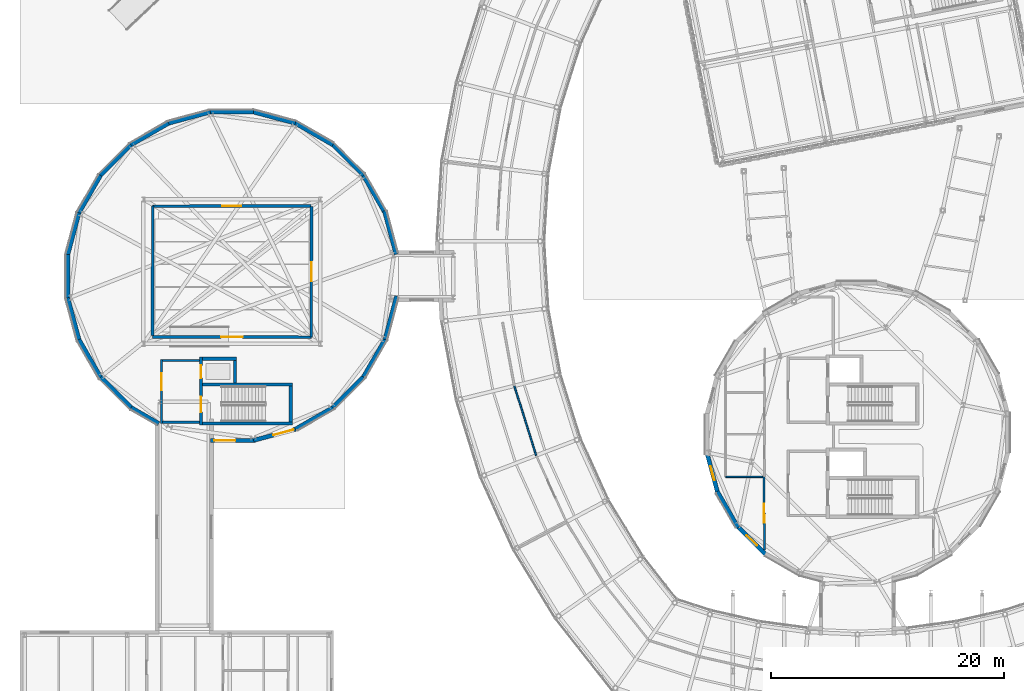
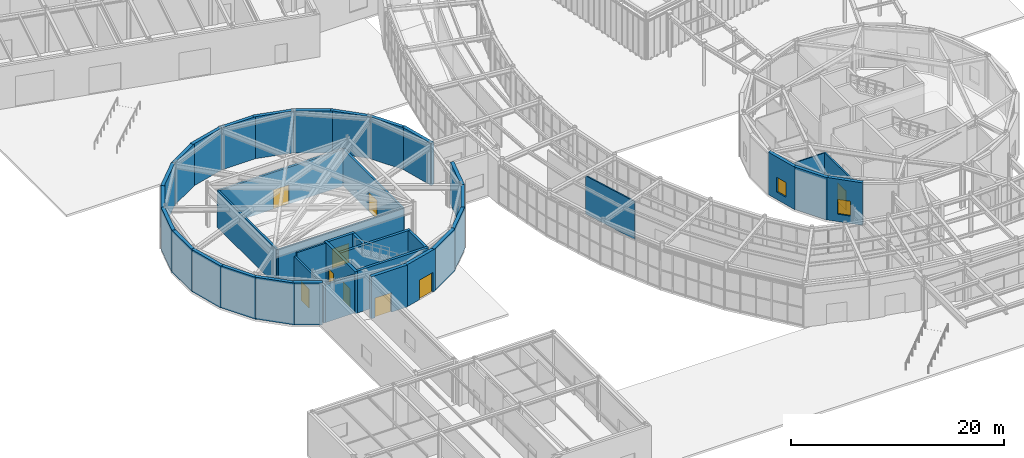
# One storey, part 70 of 97: 41 walls, 9 doors, 2 windows, 11 openings.
"""IFC4 building model written with IfcOpenShell, lengths in metres."""

from ifc_helpers import new_model, si_unit, direction, frame, frame_2d, origin, place, context, subcontext, project, spatial, rectangle, extrude, material, layer, layer_set, type_object, element, fill, save


model = new_model("IFC4")

# Units and contexts
model_context = context("Model", 3, precision=1e-05, world=origin(), true_north=direction((0.0, 1.0)))
body_context = subcontext(model_context, "Body", "Model", "MODEL_VIEW")
ifc_project = project(units=[si_unit("LENGTHUNIT", "METRE"), si_unit("AREAUNIT", "SQUARE_METRE"), si_unit("VOLUMEUNIT", "CUBIC_METRE"), si_unit("PLANEANGLEUNIT", "RADIAN"), si_unit("MASSUNIT", "GRAM", prefix="KILO")], contexts=[model_context])

# Site, building, storey
site_placement = place(None, origin())
site = spatial("IfcSite", under=ifc_project, at=site_placement, CompositionType="ELEMENT")
building_placement = place(site_placement, origin())
building = spatial("IfcBuilding", under=site, at=building_placement, Name="Varnklinge Art Gallery", CompositionType="ELEMENT")
storey_placement = place(building_placement, origin())
storey = spatial("IfcBuildingStorey", under=building, at=storey_placement, Name="L00", CompositionType="ELEMENT", Elevation=0.0)

# Walls
ifc_material_1 = material(Name="Concrete C40/50", Category="concrete")
ifc_layer_1 = layer(ifc_material_1, 0.360107421875)
ifc_layer_set_1 = layer_set([ifc_layer_1], Name="Concrete C40/50")
wall_type_1 = type_object("IfcWallType", Name="EW-36", PredefinedType="SOLIDWALL", material=ifc_layer_set_1)
wall_1_placement = place(storey_placement, frame((35.93701171875, 50.2939453125, 0.0), z_axis=(0.0, 0.0, 1.0), x_axis=(-0.258798150836, -0.965931424649, 0.0)))
element("IfcWall", 1, at=wall_1_placement, inside=storey, type_object=wall_type_1, Name="L00 Exterior Wall EW-V3-L00-01", PredefinedType="SOLIDWALL", context=body_context, shape_type="SweptSolid", body=[
    extrude(rectangle(XDim=3.866943359375, YDim=0.360107421875, at=frame_2d((1.93359375, 0.0))), origin(), (0.0, 0.0, 1.0), 4.820068359375),
])
wall_2_placement = place(storey_placement, frame((35.026123046875, 46.71484375, 0.0), z_axis=(0.0, 0.0, 1.0), x_axis=(-0.499957759415, -0.866049790024, 0.0)))
element("IfcWall", 2, at=wall_2_placement, inside=storey, type_object=wall_type_1, Name="L00 Exterior Wall EW-V3-L00-02", PredefinedType="SOLIDWALL", context=body_context, shape_type="SweptSolid", body=[
    extrude(rectangle(XDim=3.891845703125, YDim=0.360107421875, at=frame_2d((1.94580078125, 0.0))), origin(), (0.0, 0.0, 1.0), 4.820068359375),
])
wall_3_placement = place(storey_placement, frame((33.20751953125, 43.4716796875, 0.0), z_axis=(0.0, 0.0, 1.0), x_axis=(-0.707075413469, -0.707138147513, 0.0)))
element("IfcWall", 3, at=wall_3_placement, inside=storey, type_object=wall_type_1, Name="L00 Exterior Wall EW-V3-L00-03", PredefinedType="SOLIDWALL", context=body_context, shape_type="SweptSolid", body=[
    extrude(rectangle(XDim=3.8916015625, YDim=0.360107421875, at=frame_2d((1.94580078125, 0.0))), origin(), (0.0, 0.0, 1.0), 4.820068359375),
])
wall_4_placement = place(storey_placement, frame((30.611572265625, 40.809814453125, 0.0), z_axis=(0.0, 0.0, 1.0), x_axis=(-0.866006944682, -0.50003197074, 0.0)))
element("IfcWall", 4, at=wall_4_placement, inside=storey, type_object=wall_type_1, Name="L00 Exterior Wall EW-V3-L00-04", PredefinedType="SOLIDWALL", context=body_context, shape_type="SweptSolid", body=[
    extrude(rectangle(XDim=3.891845703125, YDim=0.360107421875, at=frame_2d((1.94580078125, 0.0))), origin(), (0.0, 0.0, 1.0), 4.820068359375),
])

# Wall, opening, door
wall_5_placement = place(storey_placement, frame((27.4150390625, 38.910400390625, 0.0), z_axis=(0.0, 0.0, 1.0), x_axis=(-0.965935451034, -0.258783122395, 0.0)))
wall_5 = element("IfcWall", 5, at=wall_5_placement, inside=storey, type_object=wall_type_1, Name="L00 Exterior Wall EW-V3-L00-05", PredefinedType="SOLIDWALL", context=body_context, shape_type="SweptSolid", body=[
    extrude(rectangle(XDim=3.8916015625, YDim=0.360107421875, at=frame_2d((1.94580078125, 0.0))), origin(), (0.0, 0.0, 1.0), 4.820068359375),
])
opening_1_placement = place(wall_5_placement, frame((0.345947265625, 0.0, 0.0)))
opening_1 = element("IfcOpeningElement", 6, at=opening_1_placement, cuts=wall_5, Name="Opening D-L00-E14", PredefinedType="OPENING", context=body_context, shape_type="SweptSolid", body=[
    extrude(rectangle(XDim=1.800048828125, YDim=2.25, at=frame_2d((0.89990234375, 1.125))), frame((0.0, 0.190185546875, 0.0), z_axis=(0.0, -1.0, 0.0), x_axis=(1.0, 0.0, 0.0)), (0.0, 0.0, 1.0), 0.380126953125),
])
ifc_material_2 = material(Name="Anodised Aluminium", Category="aluminium")
door_type_1 = type_object("IfcDoorType", Name="ED-02", OperationType="DOUBLE_DOOR_SINGLE_SWING", PredefinedType="DOOR", material=ifc_material_2)
door_1_placement = place(opening_1_placement, origin())
door_1 = element("IfcDoor", 7, at=door_1_placement, inside=storey, type_object=door_type_1, Name="L00 Auditorium Core C6 Final Exit Door D-L00-E14", OperationType="DOUBLE_DOOR_SINGLE_SWING", OverallHeight=2.25, OverallWidth=1.800048828125, PredefinedType="DOOR", context=body_context, shape_type="SweptSolid", body=[
    extrude(rectangle(XDim=1.800048828125, YDim=2.25, at=frame_2d((0.89990234375, 1.125))), frame((0.0, 0.02490234375, 0.0), z_axis=(0.0, -1.0, 0.0), x_axis=(1.0, 0.0, 0.0)), (0.0, 0.0, 1.0), 0.050048828125),
])
fill(opening_1, door_1)

wall_6_placement = place(storey_placement, frame((23.8359375, 37.9033203125, 0.0), z_axis=(0.0, 0.0, 1.0), x_axis=(-1.0, 0.0, 0.0)))
wall_6 = element("IfcWall", 8, at=wall_6_placement, inside=storey, type_object=wall_type_1, Name="L00 Exterior Wall EW-V3-L00-06", PredefinedType="SOLIDWALL", context=body_context, shape_type="SweptSolid", body=[
    extrude(rectangle(XDim=3.891845703125, YDim=0.360107421875, at=frame_2d((1.94580078125, 0.0))), origin(), (0.0, 0.0, 1.0), 4.820068359375),
])
opening_2_placement = place(wall_6_placement, frame((1.745849609375, 0.0, 0.0)))
opening_2 = element("IfcOpeningElement", 9, at=opening_2_placement, cuts=wall_6, Name="Opening D-L00-E15", PredefinedType="OPENING", context=body_context, shape_type="SweptSolid", body=[
    extrude(rectangle(XDim=1.800048828125, YDim=2.25, at=frame_2d((0.89990234375, 1.125))), frame((0.0, 0.190185546875, 0.0), z_axis=(0.0, -1.0, 0.0), x_axis=(1.0, 0.0, 0.0)), (0.0, 0.0, 1.0), 0.380126953125),
])
door_2_placement = place(opening_2_placement, origin())
door_2 = element("IfcDoor", 10, at=door_2_placement, inside=storey, type_object=door_type_1, Name="L00 Auditorium Core C6 Final Exit Door D-L00-E15", OperationType="DOUBLE_DOOR_SINGLE_SWING", OverallHeight=2.25, OverallWidth=1.800048828125, PredefinedType="DOOR", context=body_context, shape_type="SweptSolid", body=[
    extrude(rectangle(XDim=1.800048828125, YDim=2.25, at=frame_2d((0.89990234375, 1.125))), frame((0.0, 0.02490234375, 0.0), z_axis=(0.0, -1.0, 0.0), x_axis=(1.0, 0.0, 0.0)), (0.0, 0.0, 1.0), 0.050048828125),
])
fill(opening_2, door_2)

# Walls
wall_7_placement = place(storey_placement, frame((15.52001953125, 39.34814453125, 0.0), z_axis=(0.0, 0.0, 1.0), x_axis=(-0.866032936488, 0.499986952748, 0.0)))
element("IfcWall", 11, at=wall_7_placement, inside=storey, type_object=wall_type_1, Name="L00 Exterior Wall EW-V3-L00-07", PredefinedType="SOLIDWALL", context=body_context, shape_type="SweptSolid", body=[
    extrude(rectangle(XDim=2.7431640625, YDim=0.360107421875, at=frame_2d((1.37158203125, 0.0))), origin(), (0.0, 0.0, 1.0), 4.820068359375),
])
for number, where, z_axis, x_axis, name in (
    (12, (13.271484375, 40.59228515625, 0.0), (0.0, 0.0, 1.0), (-0.707075413469, 0.707138147513, 0.0), "L00 Exterior Wall EW-V3-L00-08"),
    (13, (10.609619140625, 43.1884765625, 0.0), (0.0, 0.0, 1.0), (-0.499984921984, 0.866034108906, 0.0), "L00 Exterior Wall EW-V3-L00-09"),
    (14, (8.71044921875, 46.385009765625, 0.0), (0.0, 0.0, 1.0), (-0.25884165497, 0.96591976771, 0.0), "L00 Exterior Wall EW-V3-L00-10"),
):
    element("IfcWall", number, at=place(storey_placement, frame(where, z_axis=z_axis, x_axis=x_axis)), inside=storey, type_object=wall_type_1, Name=name, PredefinedType="SOLIDWALL", context=body_context, shape_type="SweptSolid", body=[
        extrude(rectangle(XDim=3.8916015625, YDim=0.360107421875, at=frame_2d((1.94580078125, 0.0))), origin(), (0.0, 0.0, 1.0), 4.820068359375),
    ])
for number, where, z_axis, x_axis, name in (
    (15, (7.703125, 49.964111328125, 0.0), (0.0, 0.0, 1.0), (0.0, 1.0, 0.0), "L00 Exterior Wall EW-V3-L00-11"),
    (16, (7.656494140625, 53.681884765625, 0.0), (0.0, 0.0, 1.0), (0.258825971043, 0.965923970462, 0.0), "L00 Exterior Wall EW-V3-L00-12"),
):
    element("IfcWall", number, at=place(storey_placement, frame(where, z_axis=z_axis, x_axis=x_axis)), inside=storey, type_object=wall_type_1, Name=name, PredefinedType="SOLIDWALL", context=body_context, shape_type="SweptSolid", body=[
        extrude(rectangle(XDim=3.891845703125, YDim=0.360107421875, at=frame_2d((1.94580078125, 0.0))), origin(), (0.0, 0.0, 1.0), 4.820068359375),
    ])
wall_8_placement = place(storey_placement, frame((8.57373046875, 57.28515625, 0.0), z_axis=(0.0, 0.0, 1.0), x_axis=(0.50000480732, 0.866022628259, 0.0)))
element("IfcWall", 17, at=wall_8_placement, inside=storey, type_object=wall_type_1, Name="L00 Exterior Wall EW-V3-L00-13", PredefinedType="SOLIDWALL", context=body_context, shape_type="SweptSolid", body=[
    extrude(rectangle(XDim=3.89208984375, YDim=0.360107421875, at=frame_2d((1.946044921875, 0.0))), origin(), (0.0, 0.0, 1.0), 4.820068359375),
])
wall_9_placement = place(storey_placement, frame((10.392333984375, 60.5283203125, 0.0), z_axis=(0.0, 0.0, 1.0), x_axis=(0.707106781187, 0.707106781187, 0.0)))
element("IfcWall", 18, at=wall_9_placement, inside=storey, type_object=wall_type_1, Name="L00 Exterior Wall EW-V3-L00-14", PredefinedType="SOLIDWALL", context=body_context, shape_type="SweptSolid", body=[
    extrude(rectangle(XDim=3.891845703125, YDim=0.360107421875, at=frame_2d((1.94580078125, 0.0))), origin(), (0.0, 0.0, 1.0), 4.820068359375),
])
wall_10_placement = place(storey_placement, frame((12.98828125, 63.190185546875, 0.0), z_axis=(0.0, 0.0, 1.0), x_axis=(0.866022628259, 0.50000480732, 0.0)))
element("IfcWall", 19, at=wall_10_placement, inside=storey, type_object=wall_type_1, Name="L00 Exterior Wall EW-V3-L00-15", PredefinedType="SOLIDWALL", context=body_context, shape_type="SweptSolid", body=[
    extrude(rectangle(XDim=3.89208984375, YDim=0.360107421875, at=frame_2d((1.946044921875, 0.0))), origin(), (0.0, 0.0, 1.0), 4.820068359375),
])
wall_11_placement = place(storey_placement, frame((16.18505859375, 65.089599609375, 0.0), z_axis=(0.0, 0.0, 1.0), x_axis=(0.965935451034, 0.258783122395, 0.0)))
element("IfcWall", 20, at=wall_11_placement, inside=storey, type_object=wall_type_1, Name="L00 Exterior Wall EW-V3-L00-16", PredefinedType="SOLIDWALL", context=body_context, shape_type="SweptSolid", body=[
    extrude(rectangle(XDim=3.8916015625, YDim=0.360107421875, at=frame_2d((1.94580078125, 0.0))), origin(), (0.0, 0.0, 1.0), 4.820068359375),
])
for number, where, z_axis, x_axis, name in (
    (21, (19.76416015625, 66.0966796875, 0.0), (0.0, 0.0, 1.0), (1.0, 0.0, 0.0), "L00 Exterior Wall EW-V3-L00-17"),
    (22, (23.48193359375, 66.143310546875, 0.0), (0.0, 0.0, 1.0), (0.965939651954, -0.258767441506, 0.0), "L00 Exterior Wall EW-V3-L00-18"),
):
    element("IfcWall", number, at=place(storey_placement, frame(where, z_axis=z_axis, x_axis=x_axis)), inside=storey, type_object=wall_type_1, Name=name, PredefinedType="SOLIDWALL", context=body_context, shape_type="SweptSolid", body=[
        extrude(rectangle(XDim=3.891845703125, YDim=0.360107421875, at=frame_2d((1.94580078125, 0.0))), origin(), (0.0, 0.0, 1.0), 4.820068359375),
    ])
wall_12_placement = place(storey_placement, frame((27.085205078125, 65.226318359375, 0.0), z_axis=(0.0, 0.0, 1.0), x_axis=(0.866022628259, -0.50000480732, 0.0)))
element("IfcWall", 23, at=wall_12_placement, inside=storey, type_object=wall_type_1, Name="L00 Exterior Wall EW-V3-L00-19", PredefinedType="SOLIDWALL", context=body_context, shape_type="SweptSolid", body=[
    extrude(rectangle(XDim=3.89208984375, YDim=0.360107421875, at=frame_2d((1.946044921875, 0.0))), origin(), (0.0, 0.0, 1.0), 4.820068359375),
])
for number, where, z_axis, x_axis, name in (
    (24, (30.328369140625, 63.40771484375, 0.0), (0.0, 0.0, 1.0), (0.707106781187, -0.707106781187, 0.0), "L00 Exterior Wall EW-V3-L00-20"),
    (25, (32.990234375, 60.8115234375, 0.0), (0.0, 0.0, 1.0), (0.50003197074, -0.866006944682, 0.0), "L00 Exterior Wall EW-V3-L00-21"),
):
    element("IfcWall", number, at=place(storey_placement, frame(where, z_axis=z_axis, x_axis=x_axis)), inside=storey, type_object=wall_type_1, Name=name, PredefinedType="SOLIDWALL", context=body_context, shape_type="SweptSolid", body=[
        extrude(rectangle(XDim=3.891845703125, YDim=0.360107421875, at=frame_2d((1.94580078125, 0.0))), origin(), (0.0, 0.0, 1.0), 4.820068359375),
    ])
wall_13_placement = place(storey_placement, frame((34.8896484375, 57.614990234375, 0.0), z_axis=(0.0, 0.0, 1.0), x_axis=(0.258798150836, -0.965931424649, 0.0)))
element("IfcWall", 26, at=wall_13_placement, inside=storey, type_object=wall_type_1, Name="L00 Exterior Wall EW-V3-L00-22", PredefinedType="SOLIDWALL", context=body_context, shape_type="SweptSolid", body=[
    extrude(rectangle(XDim=3.866943359375, YDim=0.360107421875, at=frame_2d((1.93359375, 0.0))), origin(), (0.0, 0.0, 1.0), 4.820068359375),
])

# Wall, opening, window
wall_14_placement = place(storey_placement, frame((67.7021484375, 28.04443359375, 0.0), z_axis=(0.0, 0.0, 1.0), x_axis=(-0.707140892322, 0.707072668406, 0.0)))
wall_14 = element("IfcWall", 27, at=wall_14_placement, inside=storey, type_object=wall_type_1, Name="L00 Exterior Wall EW-V4D-L00-09", PredefinedType="SOLIDWALL", context=body_context, shape_type="SweptSolid", body=[
    extrude(rectangle(XDim=3.57861328125, YDim=0.360107421875, at=frame_2d((1.789306640625, 0.0))), origin(), (0.0, 0.0, 1.0), 4.8798828125),
])
opening_3_placement = place(wall_14_placement, frame((1.164306640625, 0.0, 0.85009765625)))
opening_3 = element("IfcOpeningElement", 28, at=opening_3_placement, cuts=wall_14, Name="Opening WN-09", PredefinedType="OPENING", context=body_context, shape_type="SweptSolid", body=[
    extrude(rectangle(XDim=1.25, YDim=1.699951171875, at=frame_2d((0.625, 0.85009765625))), frame((0.0, 0.190185546875, 0.0), z_axis=(0.0, -1.0, 0.0), x_axis=(1.0, 0.0, 0.0)), (0.0, 0.0, 1.0), 0.380126953125),
])
ifc_material_3 = material(Name="Insulated Low-E Triple Glazing", Category="glass")
window_type = type_object("IfcWindowType", Name="WN-09", PartitioningType="SINGLE_PANEL", PredefinedType="WINDOW", material=ifc_material_3)
window_1_placement = place(opening_3_placement, origin())
window_1 = element("IfcWindow", 29, at=window_1_placement, inside=storey, type_object=window_type, Name="L00 Window WIN-L00-068", OverallHeight=1.699951171875, OverallWidth=1.25, PartitioningType="SINGLE_PANEL", PredefinedType="WINDOW", context=body_context, shape_type="SweptSolid", body=[
    extrude(rectangle(XDim=1.25, YDim=1.699951171875, at=frame_2d((0.625, 0.85009765625))), frame((0.0, 0.030029296875, 0.0), z_axis=(0.0, -1.0, 0.0), x_axis=(1.0, 0.0, 0.0)), (0.0, 0.0, 1.0), 0.06005859375),
])
fill(opening_3, window_1)

# Wall
wall_15_placement = place(storey_placement, frame((65.26171875, 30.4189453125, 0.0), z_axis=(0.0, 0.0, 1.0), x_axis=(-0.500005919159, 0.866021986329, 0.0)))
element("IfcWall", 30, at=wall_15_placement, inside=storey, type_object=wall_type_1, Name="L00 Exterior Wall EW-V4D-L00-10", PredefinedType="SOLIDWALL", context=body_context, shape_type="SweptSolid", body=[
    extrude(rectangle(XDim=3.57861328125, YDim=0.360107421875, at=frame_2d((1.789306640625, 0.0))), origin(), (0.0, 0.0, 1.0), 4.8798828125),
])

# Wall, opening, window
wall_16_placement = place(storey_placement, frame((63.51904296875, 33.34423828125, 0.0), z_axis=(0.0, 0.0, 1.0), x_axis=(-0.258779281586, 0.965936480014, 0.0)))
wall_16 = element("IfcWall", 31, at=wall_16_placement, inside=storey, type_object=wall_type_1, Name="L00 Exterior Wall EW-V4D-L00-11", PredefinedType="SOLIDWALL", context=body_context, shape_type="SweptSolid", body=[
    extrude(rectangle(XDim=3.578369140625, YDim=0.360107421875, at=frame_2d((1.7890625, 0.0))), origin(), (0.0, 0.0, 1.0), 4.8798828125),
])
opening_4_placement = place(wall_16_placement, frame((1.164306640625, 0.0, 0.85009765625)))
opening_4 = element("IfcOpeningElement", 32, at=opening_4_placement, cuts=wall_16, Name="Opening WN-09", PredefinedType="OPENING", context=body_context, shape_type="SweptSolid", body=[
    extrude(rectangle(XDim=1.25, YDim=1.699951171875, at=frame_2d((0.625, 0.85009765625))), frame((0.0, 0.190185546875, 0.0), z_axis=(0.0, -1.0, 0.0), x_axis=(1.0, 0.0, 0.0)), (0.0, 0.0, 1.0), 0.380126953125),
])
window_2_placement = place(opening_4_placement, origin())
window_2 = element("IfcWindow", 33, at=window_2_placement, inside=storey, type_object=window_type, Name="L00 Window WIN-L00-069", OverallHeight=1.699951171875, OverallWidth=1.25, PartitioningType="SINGLE_PANEL", PredefinedType="WINDOW", context=body_context, shape_type="SweptSolid", body=[
    extrude(rectangle(XDim=1.25, YDim=1.699951171875, at=frame_2d((0.625, 0.85009765625))), frame((0.0, 0.030029296875, 0.0), z_axis=(0.0, -1.0, 0.0), x_axis=(1.0, 0.0, 0.0)), (0.0, 0.0, 1.0), 0.06005859375),
])
fill(opening_4, window_2)

# Walls
ifc_material_4 = material(Name="Gypsum Board Partition", Category="gypsum")
ifc_layer_2 = layer(ifc_material_4, 0.1201171875)
ifc_layer_set_2 = layer_set([ifc_layer_2], Name="Gypsum Board Partition")
wall_type_2 = type_object("IfcWallType", Name="IW-12", PredefinedType="PARTITIONING", material=ifc_layer_set_2)
wall_17_placement = place(storey_placement, frame((67.365234375, 34.77001953125, 0.0), z_axis=(0.0, 0.0, 1.0), x_axis=(-1.0, 0.0, 0.0)))
element("IfcWall", 34, at=wall_17_placement, inside=storey, type_object=wall_type_2, Name="L00 Partition Wall IW-L00-0145", PredefinedType="PARTITIONING", context=body_context, shape_type="SweptSolid", body=[
    extrude(rectangle(XDim=3.165283203125, YDim=0.1201171875, at=frame_2d((1.58251953125, 0.0))), origin(), (0.0, 0.0, 1.0), 4.27001953125),
])
ifc_material_5 = material(Name="Gypsum Board Partition", Category="gypsum")
ifc_layer_3 = layer(ifc_material_5, 0.139892578125)
ifc_layer_set_3 = layer_set([ifc_layer_3], Name="Gypsum Board Partition")
wall_type_3 = type_object("IfcWallType", Name="IW-14", PredefinedType="PARTITIONING", material=ifc_layer_set_3)
wall_18_placement = place(storey_placement, frame((47.9189453125, 36.61279296875, 0.0), z_axis=(0.0, 0.0, 1.0), x_axis=(-0.299731275576, 0.954023669749, 0.0)))
element("IfcWall", 35, at=wall_18_placement, inside=storey, type_object=wall_type_3, Name="L00 Partition Wall IW-L00-0080", PredefinedType="PARTITIONING", context=body_context, shape_type="SweptSolid", body=[
    extrude(rectangle(XDim=6.260498046875, YDim=0.139892578125, at=frame_2d((3.13037109375, 0.0))), origin(), (0.0, 0.0, 1.0), 4.3701171875),
])

# Wall, opening, door
ifc_material_6 = material(Name="Gypsum Board Partition", Category="gypsum")
ifc_layer_4 = layer(ifc_material_6, 0.179931640625)
ifc_layer_set_4 = layer_set([ifc_layer_4], Name="Gypsum Board Partition")
wall_type_4 = type_object("IfcWallType", Name="IW-18", PredefinedType="PARTITIONING", material=ifc_layer_set_4)
wall_19_placement = place(storey_placement, frame((67.52392578125, 28.48291015625, 0.0), z_axis=(0.0, 0.0, 1.0), x_axis=(-0.008540751285, 0.999963527119, 0.0)))
wall_19 = element("IfcWall", 36, at=wall_19_placement, inside=storey, type_object=wall_type_4, Name="L00 Partition Wall IW-L00-0104", PredefinedType="PARTITIONING", context=body_context, shape_type="SweptSolid", body=[
    extrude(rectangle(XDim=6.3173828125, YDim=0.179931640625, at=frame_2d((3.15869140625, 0.0))), origin(), (0.0, 0.0, 1.0), 4.27001953125),
])
opening_5_placement = place(wall_19_placement, frame((2.338623046875, 0.0, 0.0)))
opening_5 = element("IfcOpeningElement", 37, at=opening_5_placement, cuts=wall_19, Name="Opening D-L00-160", PredefinedType="OPENING", context=body_context, shape_type="SweptSolid", body=[
    extrude(rectangle(XDim=1.639892578125, YDim=2.199951171875, at=frame_2d((0.81982421875, 1.10009765625))), frame((0.0, 0.099853515625, 0.0), z_axis=(0.0, -1.0, 0.0), x_axis=(1.0, 0.0, 0.0)), (0.0, 0.0, 1.0), 0.199951171875),
])
ifc_material_7 = material(Name="Oak Timber Leaf", Category="wood")
door_type_2 = type_object("IfcDoorType", Name="ID-08", OperationType="DOUBLE_DOOR_SINGLE_SWING", PredefinedType="DOOR", material=ifc_material_7)
door_3_placement = place(opening_5_placement, origin())
door_3 = element("IfcDoor", 38, at=door_3_placement, inside=storey, type_object=door_type_2, Name="L00 L00 Drum Sculpture Rotunda Gallery 2 Door D-L00-160", OperationType="DOUBLE_DOOR_SINGLE_SWING", OverallHeight=2.199951171875, OverallWidth=1.639892578125, PredefinedType="DOOR", context=body_context, shape_type="SweptSolid", body=[
    extrude(rectangle(XDim=1.639892578125, YDim=2.199951171875, at=frame_2d((0.81982421875, 1.10009765625))), frame((0.0, 0.02490234375, 0.0), z_axis=(0.0, -1.0, 0.0), x_axis=(1.0, 0.0, 0.0)), (0.0, 0.0, 1.0), 0.050048828125),
])
fill(opening_5, door_3)

# Walls
ifc_material_8 = material(Name="Concrete C40/50", Category="concrete")
ifc_layer_5 = layer(ifc_material_8, 0.199951171875)
ifc_layer_set_5 = layer_set([ifc_layer_5], Name="Concrete C40/50")
wall_type_5 = type_object("IfcWallType", Name="IW-20", PredefinedType="PARTITIONING", material=ifc_layer_set_5)
wall_20_placement = place(storey_placement, frame((15.85009765625, 39.449951171875, 0.0), z_axis=(0.0, 0.0, 1.0), x_axis=(1.0, 0.0, 0.0)))
element("IfcWall", 39, at=wall_20_placement, inside=storey, type_object=wall_type_5, Name="L00 Core C6 Lobby South Wall", PredefinedType="PARTITIONING", context=body_context, shape_type="SweptSolid", body=[
    extrude(rectangle(XDim=3.14990234375, YDim=0.199951171875, at=frame_2d((1.574951171875, 0.0))), origin(), (0.0, 0.0, 1.0), 4.360107421875),
])
wall_21_placement = place(storey_placement, frame((19.0, 44.760009765625, 0.0), z_axis=(0.0, 0.0, 1.0), x_axis=(-1.0, 0.0, 0.0)))
element("IfcWall", 40, at=wall_21_placement, inside=storey, type_object=wall_type_5, Name="L00 Core C6 Lobby North Wall", PredefinedType="PARTITIONING", context=body_context, shape_type="SweptSolid", body=[
    extrude(rectangle(XDim=3.14990234375, YDim=0.199951171875, at=frame_2d((1.574951171875, 0.0))), origin(), (0.0, 0.0, 1.0), 4.820068359375),
])

# Wall, opening, door
wall_22_placement = place(storey_placement, frame((15.75, 39.35009765625, 0.0), z_axis=(0.0, 0.0, 1.0), x_axis=(0.0, 1.0, 0.0)))
wall_22 = element("IfcWall", 41, at=wall_22_placement, inside=storey, type_object=wall_type_5, Name="L00 Core C6 Lobby Corridor Wall", PredefinedType="PARTITIONING", context=body_context, shape_type="SweptSolid", body=[
    extrude(rectangle(XDim=5.510009765625, YDim=0.199951171875, at=frame_2d((2.7548828125, 0.0))), origin(), (0.0, 0.0, 1.0), 4.360107421875),
])
opening_6_placement = place(wall_22_placement, frame((2.841552734375, 0.0, 0.0)))
opening_6 = element("IfcOpeningElement", 42, at=opening_6_placement, cuts=wall_22, Name="Opening D-L00-090", PredefinedType="OPENING", context=body_context, shape_type="SweptSolid", body=[
    extrude(rectangle(XDim=1.47998046875, YDim=2.14990234375, at=frame_2d((0.739990234375, 1.074951171875))), frame((0.0, 0.110107421875, 0.0), z_axis=(0.0, -1.0, 0.0), x_axis=(1.0, 0.0, 0.0)), (0.0, 0.0, 1.0), 0.219970703125),
])
ifc_material_9 = material(Name="Galvanised Fire-Rated Steel", Category="steel")
door_type_3 = type_object("IfcDoorType", Name="ID-LB1", OperationType="DOUBLE_DOOR_SINGLE_SWING", PredefinedType="DOOR", material=ifc_material_9)
door_4_placement = place(opening_6_placement, origin())
door_4 = element("IfcDoor", 43, at=door_4_placement, inside=storey, type_object=door_type_3, Name="L00 Core C6 Protected Lobby Door D-L00-090", OperationType="DOUBLE_DOOR_SINGLE_SWING", OverallHeight=2.14990234375, OverallWidth=1.47998046875, PredefinedType="DOOR", context=body_context, shape_type="SweptSolid", body=[
    extrude(rectangle(XDim=1.47998046875, YDim=2.14990234375, at=frame_2d((0.739990234375, 1.074951171875))), frame((0.0, 0.02490234375, 0.0), z_axis=(0.0, -1.0, 0.0), x_axis=(1.0, 0.0, 0.0)), (0.0, 0.0, 1.0), 0.050048828125),
])
fill(opening_6, door_4)

ifc_material_10 = material(Name="Concrete C40/50", Category="concrete")
ifc_layer_6 = layer(ifc_material_10, 0.219970703125)
ifc_layer_set_6 = layer_set([ifc_layer_6], Name="Concrete C40/50")
wall_type_6 = type_object("IfcWallType", Name="IW-22", PredefinedType="PARTITIONING", material=ifc_layer_set_6)
wall_23_placement = place(storey_placement, frame((28.6298828125, 58.0, 0.0), z_axis=(0.0, 0.0, 1.0), x_axis=(-0.000978898813, -0.999999520878, 0.0)))
wall_23 = element("IfcWall", 44, at=wall_23_placement, inside=storey, type_object=wall_type_6, Name="L00 Partition Wall IW-L00-0092", PredefinedType="PARTITIONING", context=body_context, shape_type="SweptSolid", body=[
    extrude(rectangle(XDim=11.22314453125, YDim=0.219970703125, at=frame_2d((5.611572265625, 0.0))), origin(), (0.0, 0.0, 1.0), 4.2099609375),
])
opening_7_placement = place(wall_23_placement, frame((4.79150390625, 0.0, 0.0)))
opening_7 = element("IfcOpeningElement", 45, at=opening_7_placement, cuts=wall_23, Name="Opening D-L00-153", PredefinedType="OPENING", context=body_context, shape_type="SweptSolid", body=[
    extrude(rectangle(XDim=1.639892578125, YDim=2.199951171875, at=frame_2d((0.81982421875, 1.10009765625))), frame((0.0, 0.119873046875, 0.0), z_axis=(0.0, -1.0, 0.0), x_axis=(1.0, 0.0, 0.0)), (0.0, 0.0, 1.0), 0.239990234375),
])
door_5_placement = place(opening_7_placement, origin())
door_5 = element("IfcDoor", 46, at=door_5_placement, inside=storey, type_object=door_type_2, Name="L00 L00 Raked Auditorium Stalls Door D-L00-153", OperationType="DOUBLE_DOOR_SINGLE_SWING", OverallHeight=2.199951171875, OverallWidth=1.639892578125, PredefinedType="DOOR", context=body_context, shape_type="SweptSolid", body=[
    extrude(rectangle(XDim=1.639892578125, YDim=2.199951171875, at=frame_2d((0.81982421875, 1.10009765625))), frame((0.0, 0.02490234375, 0.0), z_axis=(0.0, -1.0, 0.0), x_axis=(1.0, 0.0, 0.0)), (0.0, 0.0, 1.0), 0.050048828125),
])
fill(opening_7, door_5)

wall_24_placement = place(storey_placement, frame((28.618896484375, 46.77685546875, 0.0), z_axis=(0.0, 0.0, 1.0), x_axis=(-0.999999953721, 0.00030423421, 0.0)))
wall_24 = element("IfcWall", 47, at=wall_24_placement, inside=storey, type_object=wall_type_6, Name="L00 Partition Wall IW-L00-0093", PredefinedType="PARTITIONING", context=body_context, shape_type="SweptSolid", body=[
    extrude(rectangle(XDim=13.64208984375, YDim=0.219970703125, at=frame_2d((6.821044921875, 0.0))), origin(), (0.0, 0.0, 1.0), 4.2099609375),
])
opening_8_placement = place(wall_24_placement, frame((5.901123046875, 0.0, 0.0)))
opening_8 = element("IfcOpeningElement", 48, at=opening_8_placement, cuts=wall_24, Name="Opening D-L00-154", PredefinedType="OPENING", context=body_context, shape_type="SweptSolid", body=[
    extrude(rectangle(XDim=1.840087890625, YDim=2.219970703125, at=frame_2d((0.919921875, 1.10986328125))), frame((0.0, 0.119873046875, 0.0), z_axis=(0.0, -1.0, 0.0), x_axis=(1.0, 0.0, 0.0)), (0.0, 0.0, 1.0), 0.239990234375),
])
ifc_material_11 = material(Name="Anodised Aluminium", Category="aluminium")
door_type_4 = type_object("IfcDoorType", Name="ID-09", OperationType="DOUBLE_DOOR_SINGLE_SWING", PredefinedType="DOOR", material=ifc_material_11)
door_6_placement = place(opening_8_placement, origin())
door_6 = element("IfcDoor", 49, at=door_6_placement, inside=storey, type_object=door_type_4, Name="L00 L00 Raked Auditorium Stalls Door D-L00-154", OperationType="DOUBLE_DOOR_SINGLE_SWING", OverallHeight=2.219970703125, OverallWidth=1.840087890625, PredefinedType="DOOR", context=body_context, shape_type="SweptSolid", body=[
    extrude(rectangle(XDim=1.840087890625, YDim=2.219970703125, at=frame_2d((0.919921875, 1.10986328125))), frame((0.0, 0.02490234375, 0.0), z_axis=(0.0, -1.0, 0.0), x_axis=(1.0, 0.0, 0.0)), (0.0, 0.0, 1.0), 0.050048828125),
])
fill(opening_8, door_6)

# Wall
wall_25_placement = place(storey_placement, frame((14.976806640625, 46.906005859375, 0.0), z_axis=(0.0, 0.0, 1.0), x_axis=(0.000373330965, 0.999999930312, 0.0)))
element("IfcWall", 50, at=wall_25_placement, inside=storey, type_object=wall_type_6, Name="L00 Partition Wall IW-L00-0094", PredefinedType="PARTITIONING", context=body_context, shape_type="SweptSolid", body=[
    extrude(rectangle(XDim=11.1171875, YDim=0.219970703125, at=frame_2d((5.55859375, 0.0))), origin(), (0.0, 0.0, 1.0), 4.2099609375),
])

# Wall, opening, door
wall_26_placement = place(storey_placement, frame((14.98095703125, 58.023193359375, 0.0), z_axis=(0.0, 0.0, 1.0), x_axis=(0.99999987403, 0.000501935976, 0.0)))
wall_26 = element("IfcWall", 51, at=wall_26_placement, inside=storey, type_object=wall_type_6, Name="L00 Partition Wall IW-L00-0095", PredefinedType="PARTITIONING", context=body_context, shape_type="SweptSolid", body=[
    extrude(rectangle(XDim=13.619140625, YDim=0.219970703125, at=frame_2d((6.8095703125, 0.0))), origin(), (0.0, 0.0, 1.0), 4.2099609375),
])
opening_9_placement = place(wall_26_placement, frame((5.989501953125, 0.0, 0.0)))
opening_9 = element("IfcOpeningElement", 52, at=opening_9_placement, cuts=wall_26, Name="Opening D-L00-155", PredefinedType="OPENING", context=body_context, shape_type="SweptSolid", body=[
    extrude(rectangle(XDim=1.639892578125, YDim=2.199951171875, at=frame_2d((0.81982421875, 1.10009765625))), frame((0.0, 0.119873046875, 0.0), z_axis=(0.0, -1.0, 0.0), x_axis=(1.0, 0.0, 0.0)), (0.0, 0.0, 1.0), 0.239990234375),
])
door_7_placement = place(opening_9_placement, origin())
door_7 = element("IfcDoor", 53, at=door_7_placement, inside=storey, type_object=door_type_2, Name="L00 L00 Raked Auditorium Stalls Door D-L00-155", OperationType="DOUBLE_DOOR_SINGLE_SWING", OverallHeight=2.199951171875, OverallWidth=1.639892578125, PredefinedType="DOOR", context=body_context, shape_type="SweptSolid", body=[
    extrude(rectangle(XDim=1.639892578125, YDim=2.199951171875, at=frame_2d((0.81982421875, 1.10009765625))), frame((0.0, 0.02490234375, 0.0), z_axis=(0.0, -1.0, 0.0), x_axis=(1.0, 0.0, 0.0)), (0.0, 0.0, 1.0), 0.050048828125),
])
fill(opening_9, door_7)

# Walls
ifc_material_12 = material(Name="Concrete C40/50", Category="concrete")
ifc_layer_7 = layer(ifc_material_12, 0.280029296875)
ifc_layer_set_7 = layer_set([ifc_layer_7], Name="Concrete C40/50")
wall_type_7 = type_object("IfcWallType", Name="SW-28", PredefinedType="SHEAR", material=ifc_layer_set_7)
wall_27_placement = place(storey_placement, frame((19.2900390625, 39.35009765625, 0.0), z_axis=(0.0, 0.0, 1.0), x_axis=(1.0, 0.0, 0.0)))
element("IfcWall", 54, at=wall_27_placement, inside=storey, type_object=wall_type_7, Name="L00 Core C6 South Shear Wall", PredefinedType="SHEAR", context=body_context, shape_type="SweptSolid", body=[
    extrude(rectangle(XDim=7.699951171875, YDim=0.280029296875, at=frame_2d((3.85009765625, 0.0))), origin(), (0.0, 0.0, 1.0), 4.820068359375),
])
wall_28_placement = place(storey_placement, frame((26.85009765625, 39.489990234375, 0.0), z_axis=(0.0, 0.0, 1.0), x_axis=(0.0, 1.0, 0.0)))
element("IfcWall", 55, at=wall_28_placement, inside=storey, type_object=wall_type_7, Name="L00 Core C6 East Shear Wall", PredefinedType="SHEAR", context=body_context, shape_type="SweptSolid", body=[
    extrude(rectangle(XDim=3.080078125, YDim=0.280029296875, at=frame_2d((1.5400390625, 0.0))), origin(), (0.0, 0.0, 1.0), 4.820068359375),
])
wall_29_placement = place(storey_placement, frame((26.989990234375, 42.7099609375, 0.0), z_axis=(0.0, 0.0, 1.0), x_axis=(-1.0, 0.0, 0.0)))
element("IfcWall", 56, at=wall_29_placement, inside=storey, type_object=wall_type_7, Name="L00 Core C6 Dividing Shear Wall", PredefinedType="SHEAR", context=body_context, shape_type="SweptSolid", body=[
    extrude(rectangle(XDim=7.699951171875, YDim=0.280029296875, at=frame_2d((3.85009765625, 0.0))), origin(), (0.0, 0.0, 1.0), 4.820068359375),
])
wall_30_placement = place(storey_placement, frame((22.050048828125, 42.85009765625, 0.0), z_axis=(0.0, 0.0, 1.0), x_axis=(0.0, 1.0, 0.0)))
element("IfcWall", 57, at=wall_30_placement, inside=storey, type_object=wall_type_7, Name="L00 Core C6 Lift East Shear Wall", PredefinedType="SHEAR", context=body_context, shape_type="SweptSolid", body=[
    extrude(rectangle(XDim=1.919921875, YDim=0.280029296875, at=frame_2d((0.9599609375, 0.0))), origin(), (0.0, 0.0, 1.0), 4.820068359375),
])
wall_31_placement = place(storey_placement, frame((22.18994140625, 44.909912109375, 0.0), z_axis=(0.0, 0.0, 1.0), x_axis=(-1.0, 0.0, 0.0)))
element("IfcWall", 58, at=wall_31_placement, inside=storey, type_object=wall_type_7, Name="L00 Core C6 Lift North Shear Wall", PredefinedType="SHEAR", context=body_context, shape_type="SweptSolid", body=[
    extrude(rectangle(XDim=2.89990234375, YDim=0.280029296875, at=frame_2d((1.449951171875, 0.0))), origin(), (0.0, 0.0, 1.0), 4.820068359375),
])

# Wall, openings, doors
wall_32_placement = place(storey_placement, frame((19.14990234375, 45.050048828125, 0.0), z_axis=(0.0, 0.0, 1.0), x_axis=(0.0, -1.0, 0.0)))
wall_32 = element("IfcWall", 59, at=wall_32_placement, inside=storey, type_object=wall_type_7, Name="L00 Core C6 Front Shear Wall", PredefinedType="SHEAR", context=body_context, shape_type="SweptSolid", body=[
    extrude(rectangle(XDim=5.840087890625, YDim=0.280029296875, at=frame_2d((2.919921875, 0.0))), origin(), (0.0, 0.0, 1.0), 4.820068359375),
])
opening_10_placement = place(wall_32_placement, frame((0.699951171875, 0.0, 0.0)))
opening_10 = element("IfcOpeningElement", 60, at=opening_10_placement, cuts=wall_32, Name="Opening LD-L00-088", PredefinedType="OPENING", context=body_context, shape_type="SweptSolid", body=[
    extrude(rectangle(XDim=1.10009765625, YDim=2.1201171875, at=frame_2d((0.550048828125, 1.06005859375))), frame((0.0, 0.150146484375, 0.0), z_axis=(0.0, -1.0, 0.0), x_axis=(1.0, 0.0, 0.0)), (0.0, 0.0, 1.0), 0.300048828125),
])
opening_11_placement = place(wall_32_placement, frame((3.39990234375, 0.0, 0.0)))
opening_11 = element("IfcOpeningElement", 61, at=opening_11_placement, cuts=wall_32, Name="Opening D-L00-089", PredefinedType="OPENING", context=body_context, shape_type="SweptSolid", body=[
    extrude(rectangle(XDim=1.320068359375, YDim=2.1201171875, at=frame_2d((0.66015625, 1.06005859375))), frame((0.0, 0.150146484375, 0.0), z_axis=(0.0, -1.0, 0.0), x_axis=(1.0, 0.0, 0.0)), (0.0, 0.0, 1.0), 0.300048828125),
])
ifc_material_13 = material(Name="Galvanised Fire-Rated Steel", Category="steel")
door_type_5 = type_object("IfcDoorType", Name="ID-ST1", OperationType="SINGLE_SWING_LEFT", PredefinedType="DOOR", material=ifc_material_13)
door_8_placement = place(opening_11_placement, origin())
door_8 = element("IfcDoor", 62, at=door_8_placement, inside=storey, type_object=door_type_5, Name="L00 Stair ST-06 Fire Door D-L00-089", OperationType="SINGLE_SWING_RIGHT", OverallHeight=2.1201171875, OverallWidth=1.320068359375, PredefinedType="DOOR", context=body_context, shape_type="SweptSolid", body=[
    extrude(rectangle(XDim=1.320068359375, YDim=2.1201171875, at=frame_2d((0.66015625, 1.06005859375))), frame((0.0, 0.02490234375, 0.0), z_axis=(0.0, -1.0, 0.0), x_axis=(1.0, 0.0, 0.0)), (0.0, 0.0, 1.0), 0.050048828125),
])
fill(opening_11, door_8)
ifc_material_14 = material(Name="Anodised Aluminium", Category="aluminium")
door_type_6 = type_object("IfcDoorType", Name="LD-PAX", OperationType="SLIDING_TO_LEFT", PredefinedType="DOOR", material=ifc_material_14)
door_9_placement = place(opening_10_placement, origin())
door_9 = element("IfcDoor", 63, at=door_9_placement, inside=storey, type_object=door_type_6, Name="L00 LF-05 Sliding Landing Door LD-L00-088", OperationType="SLIDING_TO_LEFT", OverallHeight=2.1201171875, OverallWidth=1.10009765625, PredefinedType="DOOR", context=body_context, shape_type="SweptSolid", body=[
    extrude(rectangle(XDim=1.10009765625, YDim=2.1201171875, at=frame_2d((0.550048828125, 1.06005859375))), frame((0.0, 0.02490234375, 0.0), z_axis=(0.0, -1.0, 0.0), x_axis=(1.0, 0.0, 0.0)), (0.0, 0.0, 1.0), 0.050048828125),
])
fill(opening_10, door_9)

save(model, "model.ifc")
